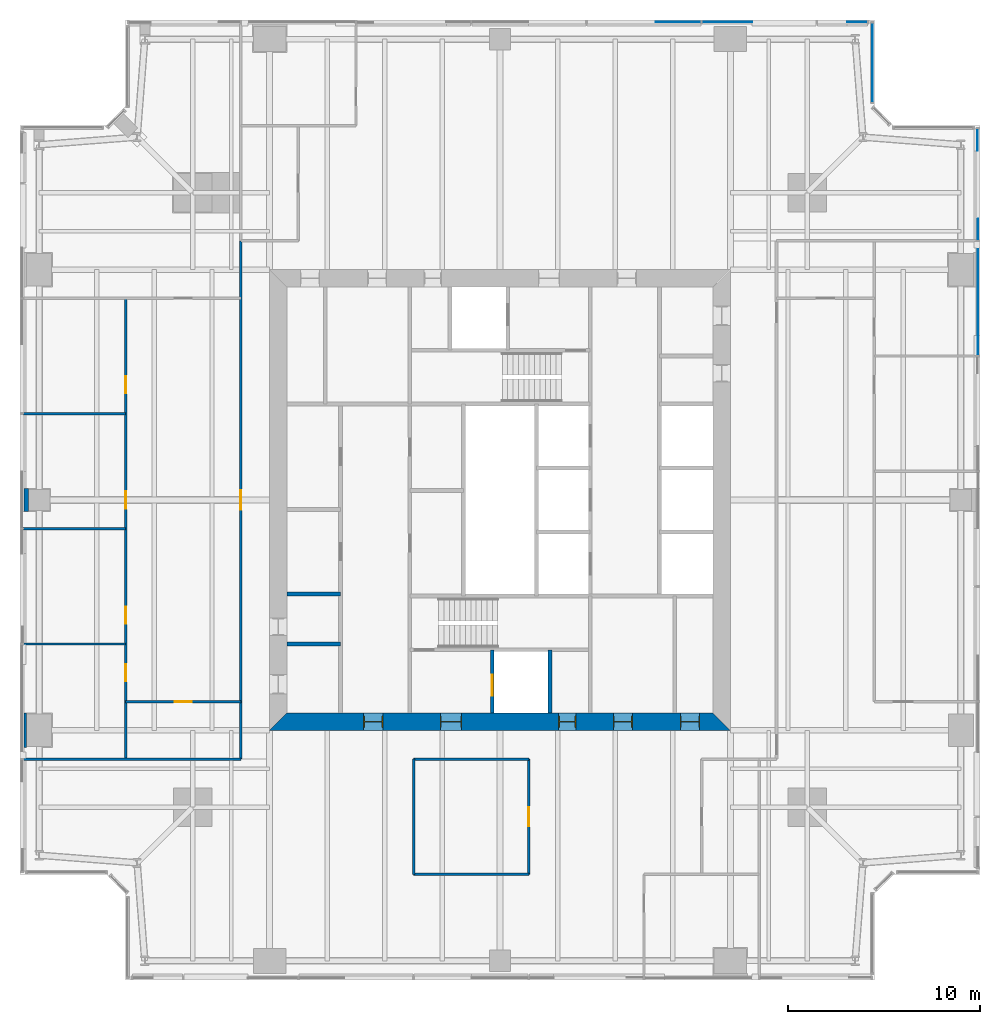
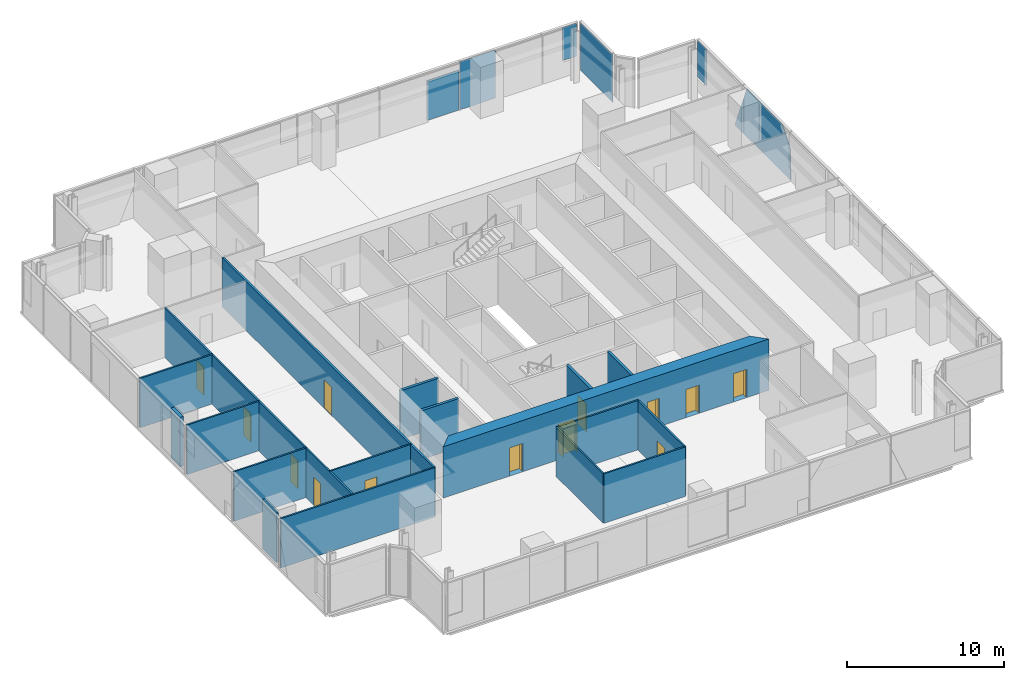
# One storey, part 9 of 14: 18 walls, 13 doors, 7 plates, 13 openings, 3 elements without a shape of their own.
"""IFC4 building model written with IfcOpenShell, lengths in metres."""

from ifc_helpers import new_model, si_unit, direction, frame, frame_2d, origin, origin_2d, place, context, subcontext, project, spatial, polyline, rectangle, outline, extrude, material, layer, layer_set, type_object, element, fill, aggregate, save


model = new_model("IFC4")

# Units and contexts
model_context = context("Model", 3, precision=1e-05, world=origin(), true_north=direction((0.0, 1.0)))
body_context = subcontext(model_context, "Body", "Model", "MODEL_VIEW")
ifc_project = project(units=[si_unit("LENGTHUNIT", "METRE"), si_unit("AREAUNIT", "SQUARE_METRE"), si_unit("VOLUMEUNIT", "CUBIC_METRE"), si_unit("PLANEANGLEUNIT", "RADIAN"), si_unit("MASSUNIT", "GRAM", prefix="KILO")], contexts=[model_context])

# Site, building, storey
site_placement = place(None, origin())
site = spatial("IfcSite", under=ifc_project, at=site_placement, CompositionType="ELEMENT")
building_placement = place(site_placement, origin())
building = spatial("IfcBuilding", under=site, at=building_placement, Name="Fenwick Lantern Interchange", CompositionType="ELEMENT")
storey_placement = place(building_placement, frame((0.0, 0.0, 221.800048828125)))
storey = spatial("IfcBuildingStorey", under=building, at=storey_placement, Name="L52", CompositionType="ELEMENT", Elevation=221.800048828125)

# Curtain wall, plates
ifc_material_1 = material(Name="Aluminium curtain wall frame", Category="aluminium")
curtain_wall_type = type_object("IfcCurtainWallType", Name="OFFICE CURTAIN WALL", PredefinedType="USERDEFINED", material=ifc_material_1)
curtain_wall_1_placement = place(storey_placement, origin())
curtain_wall_1 = element("IfcCurtainWall", 1, at=curtain_wall_1_placement, inside=storey, type_object=curtain_wall_type, Name="Office curtain wall 05", ObjectType="OFFICE CURTAIN WALL", PredefinedType="USERDEFINED")
ifc_material_2 = material(Name="Vision glass, clear low-iron double glazed", Category="glass")
ifc_layer_1 = layer(ifc_material_2, 0.031982421875)
ifc_layer_set_1 = layer_set([ifc_layer_1], Name="OFFICE CURTAIN WALL PANEL 32")
plate_type = type_object("IfcPlateType", Name="OFFICE CURTAIN WALL PANEL 32", PredefinedType="CURTAIN_PANEL", material=ifc_layer_set_1)
plate_1_placement = place(storey_placement, frame((49.89990234375, 5.60009765625, 0.0), z_axis=(0.0, 0.0, 1.0), x_axis=(0.0, 1.0, 0.0)))
plate_1 = element("IfcPlate", 2, at=plate_1_placement, type_object=plate_type, Name="L52/CW/05/P05a", PredefinedType="CURTAIN_PANEL", context=body_context, shape_type="SweptSolid", body=[
    extrude(outline(polyline([(26.9326171875, 0.0), (32.867431640625, 0.0), (32.867431640625, 2.939697265625), (32.535888671875, 3.75), (27.96826171875, 3.75), (26.9326171875, 2.37890625), (26.9326171875, 0.0)])), frame((0.0, 0.01611328125, 0.0), z_axis=(0.0, -1.0, 0.0), x_axis=(1.0, 0.0, 0.0)), (0.0, 0.0, 1.0), 0.031982421875),
])
plate_2_placement = place(storey_placement, frame((49.89990234375, 5.60009765625, 0.0), z_axis=(0.0, 0.0, 1.0), x_axis=(0.0, 1.0, 0.0)))
plate_2 = element("IfcPlate", 3, at=plate_2_placement, type_object=plate_type, Name="L52/CW/05/P06a", PredefinedType="CURTAIN_PANEL", context=body_context, shape_type="SweptSolid", body=[
    extrude(outline(polyline([(32.9326171875, 0.0), (34.0703125, 0.0), (32.9326171875, 2.78076171875), (32.9326171875, 0.0)])), frame((0.0, 0.01611328125, 0.0), z_axis=(0.0, -1.0, 0.0), x_axis=(1.0, 0.0, 0.0)), (0.0, 0.0, 1.0), 0.031982421875),
])
plate_3_placement = place(storey_placement, frame((49.89990234375, 5.60009765625, 0.92724609375), z_axis=(0.0, 0.0, 1.0), x_axis=(0.0, 1.0, 0.0)))
plate_3 = element("IfcPlate", 4, at=plate_3_placement, type_object=plate_type, Name="L52/CW/05/P06b", PredefinedType="CURTAIN_PANEL", context=body_context, shape_type="SweptSolid", body=[
    extrude(outline(polyline([(37.58056640625, 0.0), (38.735107421875, 0.0), (38.735107421875, 2.82275390625), (37.58056640625, 2.82275390625), (37.58056640625, 0.0)])), frame((0.0, 0.0498046875, 0.0), z_axis=(0.0, -1.0, 0.0), x_axis=(1.0, 0.0, 0.0)), (0.0, 0.0, 1.0), 0.031982421875),
])
aggregate(curtain_wall_1, [plate_1, plate_2, plate_3])

# Curtain wall, plate
curtain_wall_2_placement = place(storey_placement, origin())
curtain_wall_2 = element("IfcCurtainWall", 5, at=curtain_wall_2_placement, inside=storey, type_object=curtain_wall_type, Name="Office curtain wall 08", ObjectType="OFFICE CURTAIN WALL", PredefinedType="USERDEFINED")
plate_4_placement = place(storey_placement, frame((44.39990234375, 47.779296875, 0.0), z_axis=(0.0, 0.0, 1.0), x_axis=(0.0, 1.0, 0.0)))
plate_4 = element("IfcPlate", 6, at=plate_4_placement, type_object=plate_type, Name="L52/CW/08/P00", PredefinedType="CURTAIN_PANEL", context=body_context, shape_type="SweptSolid", body=[
    extrude(rectangle(XDim=4.111328125, YDim=0.031982421875, at=origin_2d()), origin(), (0.0, 0.0, 1.0), 3.75),
])
aggregate(curtain_wall_2, [plate_4])

# Curtain wall, plates
curtain_wall_3_placement = place(storey_placement, origin())
curtain_wall_3 = element("IfcCurtainWall", 7, at=curtain_wall_3_placement, inside=storey, type_object=curtain_wall_type, Name="Office curtain wall 09", ObjectType="OFFICE CURTAIN WALL", PredefinedType="USERDEFINED")
plate_5_placement = place(storey_placement, frame((44.39990234375, 49.89990234375, 1.17333984375), z_axis=(0.0, 0.0, 1.0), x_axis=(-1.0, 0.0, 0.0)))
plate_5 = element("IfcPlate", 8, at=plate_5_placement, type_object=plate_type, Name="L52/CW/09/P00a", PredefinedType="CURTAIN_PANEL", context=body_context, shape_type="SweptSolid", body=[
    extrude(outline(polyline([(0.264892578125, 0.0), (1.320068359375, 0.0), (1.320068359375, 2.57666015625), (0.264892578125, 2.57666015625), (0.264892578125, 0.0)])), frame((0.0, 0.01611328125, 0.0), z_axis=(0.0, -1.0, 0.0), x_axis=(1.0, 0.0, 0.0)), (0.0, 0.0, 1.0), 0.031982421875),
])
plate_6_placement = place(storey_placement, frame((44.39990234375, 49.89990234375, 0.0), z_axis=(0.0, 0.0, 1.0), x_axis=(-1.0, 0.0, 0.0)))
plate_6 = element("IfcPlate", 9, at=plate_6_placement, type_object=plate_type, Name="L52/CW/09/P01a", PredefinedType="CURTAIN_PANEL", context=body_context, shape_type="SweptSolid", body=[
    extrude(outline(polyline([(6.2646484375, 0.0), (8.867431640625, 0.0), (8.867431640625, 3.75), (6.2646484375, 3.75), (6.2646484375, 0.0)])), frame((0.0, 0.01611328125, 0.0), z_axis=(0.0, -1.0, 0.0), x_axis=(1.0, 0.0, 0.0)), (0.0, 0.0, 1.0), 0.031982421875),
])
plate_7_placement = place(storey_placement, frame((44.39990234375, 49.89990234375, 0.0), z_axis=(0.0, 0.0, 1.0), x_axis=(-1.0, 0.0, 0.0)))
plate_7 = element("IfcPlate", 10, at=plate_7_placement, type_object=plate_type, Name="L52/CW/09/P02a", PredefinedType="CURTAIN_PANEL", context=body_context, shape_type="SweptSolid", body=[
    extrude(outline(polyline([(8.9326171875, 0.0), (11.297607421875, 0.0), (11.297607421875, 3.13330078125), (8.9326171875, 3.13330078125), (8.9326171875, 0.0)])), frame((0.0, 0.01611328125, 0.0), z_axis=(0.0, -1.0, 0.0), x_axis=(1.0, 0.0, 0.0)), (0.0, 0.0, 1.0), 0.031982421875),
])
aggregate(curtain_wall_3, [plate_5, plate_6, plate_7])

# Walls
ifc_material_3 = material(Name="Fire-rated gypsum board encasement on steel studs, 2 hour", Category="steel")
ifc_layer_2 = layer(ifc_material_3, 1.199951171875)
ifc_layer_set_2 = layer_set([ifc_layer_2], Name="COLUMN PIER 1200")
wall_type_1 = type_object("IfcWallType", Name="COLUMN PIER 1200", PredefinedType="PARTITIONING", material=ifc_layer_set_2)
wall_1_placement = place(storey_placement, frame((0.199951171875, 25.0, 0.0), z_axis=(0.0, 0.0, 1.0), x_axis=(1.0, 0.0, 0.0)))
element("IfcWall", 11, at=wall_1_placement, inside=storey, type_object=wall_type_1, Name="L52/W/PIER/CW3", PredefinedType="PARTITIONING", context=body_context, shape_type="SweptSolid", body=[
    extrude(rectangle(XDim=0.25, YDim=1.199951171875, at=frame_2d((0.125, 0.0))), origin(), (0.0, 0.0, 1.0), 3.849853515625),
])
ifc_layer_3 = layer(ifc_material_3, 1.800048828125)
ifc_layer_set_3 = layer_set([ifc_layer_3], Name="COLUMN PIER 1800")
wall_type_2 = type_object("IfcWallType", Name="COLUMN PIER 1800", PredefinedType="PARTITIONING", material=ifc_layer_set_3)
wall_2_placement = place(storey_placement, frame((0.199951171875, 13.0, 0.0), z_axis=(0.0, 0.0, 1.0), x_axis=(1.0, 0.0, 0.0)))
element("IfcWall", 12, at=wall_2_placement, inside=storey, type_object=wall_type_2, Name="L52/W/PIER/CW4", PredefinedType="PARTITIONING", context=body_context, shape_type="SweptSolid", body=[
    extrude(rectangle(XDim=0.150146484375, YDim=1.800048828125, at=frame_2d((0.0751953125, 0.0))), origin(), (0.0, 0.0, 1.0), 3.849853515625),
])

# Wall, opening, door
ifc_material_4 = material(Name="Concrete masonry ASTM C90 Grade N", Category="masonry")
ifc_layer_4 = layer(ifc_material_4, 0.199951171875)
ifc_layer_set_4 = layer_set([ifc_layer_4], Name="Concrete masonry ASTM C90 Grade N")
wall_type_3 = type_object("IfcWallType", Name="CORE PARTITION 200", PredefinedType="PARTITIONING", material=ifc_layer_set_4)
wall_3_placement = place(storey_placement, frame((24.60009765625, 13.89990234375, 0.0), z_axis=(0.0, 0.0, 1.0), x_axis=(0.0, 1.0, 0.0)))
wall_3 = element("IfcWall", 13, at=wall_3_placement, inside=storey, type_object=wall_type_3, Name="L52/W/CORES/h1", PredefinedType="PARTITIONING", context=body_context, shape_type="SweptSolid", body=[
    extrude(rectangle(XDim=3.300048828125, YDim=0.199951171875, at=frame_2d((1.64990234375, 0.0))), origin(), (0.0, 0.0, 1.0), 3.800048828125),
])
opening_1_placement = place(wall_3_placement, frame((0.89990234375, 0.0, 0.0)))
opening_1 = element("IfcOpeningElement", 14, at=opening_1_placement, cuts=wall_3, Name="Opening LD-FL1", PredefinedType="OPENING", context=body_context, shape_type="SweptSolid", body=[
    extrude(rectangle(XDim=1.10009765625, YDim=2.199951171875, at=frame_2d((0.550048828125, 1.10009765625))), frame((0.0, 0.10986328125, 0.0), z_axis=(0.0, -1.0, 0.0), x_axis=(1.0, 0.0, 0.0)), (0.0, 0.0, 1.0), 0.219970703125),
])
ifc_material_5 = material(Name="Steel door and frame", Category="steel")
door_type_1 = type_object("IfcDoorType", Name="LIFT LANDING DOOR 1100 X 2200", OperationType="DOUBLE_DOOR_SLIDING", PredefinedType="DOOR", material=ifc_material_5)
door_1_placement = place(opening_1_placement, origin())
door_1 = element("IfcDoor", 15, at=door_1_placement, inside=storey, type_object=door_type_1, Name="Lift landing door FL1", OperationType="DOUBLE_DOOR_SLIDING", OverallHeight=2.199951171875, OverallWidth=1.10009765625, PredefinedType="DOOR", context=body_context, shape_type="SweptSolid", body=[
    extrude(rectangle(XDim=1.10009765625, YDim=2.199951171875, at=frame_2d((0.550048828125, 1.10009765625))), frame((0.0, 0.02490234375, 0.0), z_axis=(0.0, -1.0, 0.0), x_axis=(1.0, 0.0, 0.0)), (0.0, 0.0, 1.0), 0.050048828125),
])
fill(opening_1, door_1)

# Walls
wall_4_placement = place(storey_placement, frame((27.60009765625, 13.89990234375, 0.0), z_axis=(0.0, 0.0, 1.0), x_axis=(0.0, 1.0, 0.0)))
element("IfcWall", 16, at=wall_4_placement, inside=storey, type_object=wall_type_3, Name="L52/W/CORES/h2", PredefinedType="PARTITIONING", context=body_context, shape_type="SweptSolid", body=[
    extrude(rectangle(XDim=3.300048828125, YDim=0.199951171875, at=frame_2d((1.64990234375, 0.0))), origin(), (0.0, 0.0, 1.0), 3.800048828125),
])
for number, where, z_axis, x_axis, name in (
    (17, (13.89990234375, 17.5, 0.0), (0.0, 0.0, 1.0), (1.0, 0.0, 0.0), "L52/W/CORES/p1"),
    (18, (13.89990234375, 20.10009765625, 0.0), (0.0, 0.0, 1.0), (1.0, 0.0, 0.0), "L52/W/CORES/p2"),
):
    element("IfcWall", number, at=place(storey_placement, frame(where, z_axis=z_axis, x_axis=x_axis)), inside=storey, type_object=wall_type_3, Name=name, PredefinedType="PARTITIONING", context=body_context, shape_type="SweptSolid", body=[
        extrude(rectangle(XDim=2.800048828125, YDim=0.199951171875, at=frame_2d((1.39990234375, 0.0))), origin(), (0.0, 0.0, 1.0), 3.800048828125),
    ])

# Wall, openings, doors
ifc_material_6 = material(Name="Concrete f'c 70 MPa", Category="concrete")
ifc_layer_5 = layer(ifc_material_6, 0.89990234375)
ifc_layer_set_5 = layer_set([ifc_layer_5], Name="CORE WALL 900")
wall_type_4 = type_object("IfcWallType", Name="CORE WALL 900", PredefinedType="SHEAR", material=ifc_layer_set_5)
wall_5_placement = place(storey_placement, frame((13.0, 13.449951171875, 0.0), z_axis=(0.0, 0.0, 1.0), x_axis=(1.0, 0.0, 0.0)))
wall_5 = element("IfcWall", 19, at=wall_5_placement, inside=storey, type_object=wall_type_4, Name="L52/CORE/S", PredefinedType="SHEAR", context=body_context, shape_type="SweptSolid", body=[
    extrude(outline(polyline([(0.0, -0.449951171875), (24.0, -0.449951171875), (23.10009765625, 0.449951171875), (0.89990234375, 0.449951171875), (0.0, -0.449951171875)])), origin(), (0.0, 0.0, 1.0), 4.0),
])
opening_2_placement = place(wall_5_placement, frame((4.89990234375, 0.0, 0.0)))
opening_2 = element("IfcOpeningElement", 20, at=opening_2_placement, cuts=wall_5, Name="Opening L52-D001", PredefinedType="OPENING", context=body_context, shape_type="SweptSolid", body=[
    extrude(rectangle(XDim=1.0, YDim=2.199951171875, at=frame_2d((0.5, 1.10009765625))), frame((0.0, 0.4599609375, 0.0), z_axis=(0.0, -1.0, 0.0), x_axis=(1.0, 0.0, 0.0)), (0.0, 0.0, 1.0), 0.919921875),
])
opening_3_placement = place(wall_5_placement, frame((8.89990234375, 0.0, 0.0)))
opening_3 = element("IfcOpeningElement", 21, at=opening_3_placement, cuts=wall_5, Name="Opening L52-D002", PredefinedType="OPENING", context=body_context, shape_type="SweptSolid", body=[
    extrude(rectangle(XDim=1.10009765625, YDim=2.199951171875, at=frame_2d((0.550048828125, 1.10009765625))), frame((0.0, 0.4599609375, 0.0), z_axis=(0.0, -1.0, 0.0), x_axis=(1.0, 0.0, 0.0)), (0.0, 0.0, 1.0), 0.919921875),
])
opening_4_placement = place(wall_5_placement, frame((15.050048828125, 0.0, 0.0)))
opening_4 = element("IfcOpeningElement", 22, at=opening_4_placement, cuts=wall_5, Name="Opening L52-D004", PredefinedType="OPENING", context=body_context, shape_type="SweptSolid", body=[
    extrude(rectangle(XDim=0.89990234375, YDim=2.199951171875, at=frame_2d((0.449951171875, 1.10009765625))), frame((0.0, 0.4599609375, 0.0), z_axis=(0.0, -1.0, 0.0), x_axis=(1.0, 0.0, 0.0)), (0.0, 0.0, 1.0), 0.919921875),
])
opening_5_placement = place(wall_5_placement, frame((17.89990234375, 0.0, 0.0)))
opening_5 = element("IfcOpeningElement", 23, at=opening_5_placement, cuts=wall_5, Name="Opening L52-D005", PredefinedType="OPENING", context=body_context, shape_type="SweptSolid", body=[
    extrude(rectangle(XDim=1.0, YDim=2.199951171875, at=frame_2d((0.5, 1.10009765625))), frame((0.0, 0.4599609375, 0.0), z_axis=(0.0, -1.0, 0.0), x_axis=(1.0, 0.0, 0.0)), (0.0, 0.0, 1.0), 0.919921875),
])
opening_6_placement = place(wall_5_placement, frame((21.39990234375, 0.0, 0.0)))
opening_6 = element("IfcOpeningElement", 24, at=opening_6_placement, cuts=wall_5, Name="Opening L52-D006", PredefinedType="OPENING", context=body_context, shape_type="SweptSolid", body=[
    extrude(rectangle(XDim=1.0, YDim=2.199951171875, at=frame_2d((0.5, 1.10009765625))), frame((0.0, 0.4599609375, 0.0), z_axis=(0.0, -1.0, 0.0), x_axis=(1.0, 0.0, 0.0)), (0.0, 0.0, 1.0), 0.919921875),
])
door_type_2 = type_object("IfcDoorType", Name="CORE LOBBY DOOR 1000 X 2200", OperationType="SINGLE_SWING_LEFT", PredefinedType="DOOR", material=ifc_material_5)
door_2_placement = place(opening_2_placement, origin())
door_2 = element("IfcDoor", 25, at=door_2_placement, inside=storey, type_object=door_type_2, Name="Core lobby door", OperationType="SINGLE_SWING_LEFT", OverallHeight=2.199951171875, OverallWidth=1.0, PredefinedType="DOOR", context=body_context, shape_type="SweptSolid", body=[
    extrude(rectangle(XDim=1.0, YDim=2.199951171875, at=frame_2d((0.5, 1.10009765625))), frame((0.0, 0.02490234375, 0.0), z_axis=(0.0, -1.0, 0.0), x_axis=(1.0, 0.0, 0.0)), (0.0, 0.0, 1.0), 0.050048828125),
    extrude(outline(polyline([(0.0, 0.0), (0.0400390625, 0.0), (0.0400390625, 2.159912109375), (0.9599609375, 2.159912109375), (0.9599609375, 0.0), (1.0, 0.0), (1.0, 2.199951171875), (0.0, 2.199951171875), (0.0, 0.0)])), frame((0.0, 0.300048828125, 0.0), z_axis=(0.0, -1.0, 0.0), x_axis=(1.0, 0.0, 0.0)), (0.0, 0.0, 1.0), 0.60009765625),
])
fill(opening_2, door_2)
door_type_3 = type_object("IfcDoorType", Name="FIRE LOBBY DOOR 1100 X 2200", OperationType="SINGLE_SWING_LEFT", PredefinedType="DOOR", material=ifc_material_5)
door_3_placement = place(opening_3_placement, origin())
door_3 = element("IfcDoor", 26, at=door_3_placement, inside=storey, type_object=door_type_3, Name="Fire lobby door", OperationType="SINGLE_SWING_LEFT", OverallHeight=2.199951171875, OverallWidth=1.10009765625, PredefinedType="DOOR", context=body_context, shape_type="SweptSolid", body=[
    extrude(rectangle(XDim=1.10009765625, YDim=2.199951171875, at=frame_2d((0.550048828125, 1.10009765625))), frame((0.0, 0.02490234375, 0.0), z_axis=(0.0, -1.0, 0.0), x_axis=(1.0, 0.0, 0.0)), (0.0, 0.0, 1.0), 0.050048828125),
    extrude(outline(polyline([(0.0, 0.0), (0.0400390625, 0.0), (0.0400390625, 2.159912109375), (1.06005859375, 2.159912109375), (1.06005859375, 0.0), (1.10009765625, 0.0), (1.10009765625, 2.199951171875), (0.0, 2.199951171875), (0.0, 0.0)])), frame((0.0, 0.300048828125, 0.0), z_axis=(0.0, -1.0, 0.0), x_axis=(1.0, 0.0, 0.0)), (0.0, 0.0, 1.0), 0.60009765625),
])
fill(opening_3, door_3)
door_type_4 = type_object("IfcDoorType", Name="SERVICE DOOR 900 X 2200", OperationType="SINGLE_SWING_LEFT", PredefinedType="DOOR", material=ifc_material_5)
door_4_placement = place(opening_4_placement, origin())
door_4 = element("IfcDoor", 27, at=door_4_placement, inside=storey, type_object=door_type_4, Name="Service door", OperationType="SINGLE_SWING_LEFT", OverallHeight=2.199951171875, OverallWidth=0.89990234375, PredefinedType="DOOR", context=body_context, shape_type="SweptSolid", body=[
    extrude(rectangle(XDim=0.89990234375, YDim=2.199951171875, at=frame_2d((0.449951171875, 1.10009765625))), frame((0.0, 0.02490234375, 0.0), z_axis=(0.0, -1.0, 0.0), x_axis=(1.0, 0.0, 0.0)), (0.0, 0.0, 1.0), 0.050048828125),
    extrude(outline(polyline([(0.0, 0.0), (0.0400390625, 0.0), (0.0400390625, 2.159912109375), (0.85986328125, 2.159912109375), (0.85986328125, 0.0), (0.89990234375, 0.0), (0.89990234375, 2.199951171875), (0.0, 2.199951171875), (0.0, 0.0)])), frame((0.0, 0.300048828125, 0.0), z_axis=(0.0, -1.0, 0.0), x_axis=(1.0, 0.0, 0.0)), (0.0, 0.0, 1.0), 0.60009765625),
])
fill(opening_4, door_4)
ifc_material_7 = material(Name="Hardwood door and steel frame", Category="steel")
door_type_5 = type_object("IfcDoorType", Name="WC DOOR 1000 X 2200", OperationType="SINGLE_SWING_LEFT", PredefinedType="DOOR", material=ifc_material_7)
door_5_placement = place(opening_5_placement, origin())
door_5 = element("IfcDoor", 28, at=door_5_placement, inside=storey, type_object=door_type_5, Name="Wc door", OperationType="SINGLE_SWING_LEFT", OverallHeight=2.199951171875, OverallWidth=1.0, PredefinedType="DOOR", context=body_context, shape_type="SweptSolid", body=[
    extrude(rectangle(XDim=1.0, YDim=2.199951171875, at=frame_2d((0.5, 1.10009765625))), frame((0.0, 0.02490234375, 0.0), z_axis=(0.0, -1.0, 0.0), x_axis=(1.0, 0.0, 0.0)), (0.0, 0.0, 1.0), 0.050048828125),
    extrude(outline(polyline([(0.0, 0.0), (0.0400390625, 0.0), (0.0400390625, 2.159912109375), (0.9599609375, 2.159912109375), (0.9599609375, 0.0), (1.0, 0.0), (1.0, 2.199951171875), (0.0, 2.199951171875), (0.0, 0.0)])), frame((0.0, 0.300048828125, 0.0), z_axis=(0.0, -1.0, 0.0), x_axis=(1.0, 0.0, 0.0)), (0.0, 0.0, 1.0), 0.60009765625),
])
fill(opening_5, door_5)
door_6_placement = place(opening_6_placement, origin())
door_6 = element("IfcDoor", 29, at=door_6_placement, inside=storey, type_object=door_type_5, Name="Wc door", OperationType="SINGLE_SWING_LEFT", OverallHeight=2.199951171875, OverallWidth=1.0, PredefinedType="DOOR", context=body_context, shape_type="SweptSolid", body=[
    extrude(rectangle(XDim=1.0, YDim=2.199951171875, at=frame_2d((0.5, 1.10009765625))), frame((0.0, 0.02490234375, 0.0), z_axis=(0.0, -1.0, 0.0), x_axis=(1.0, 0.0, 0.0)), (0.0, 0.0, 1.0), 0.050048828125),
    extrude(outline(polyline([(0.0, 0.0), (0.0400390625, 0.0), (0.0400390625, 2.159912109375), (0.9599609375, 2.159912109375), (0.9599609375, 0.0), (1.0, 0.0), (1.0, 2.199951171875), (0.0, 2.199951171875), (0.0, 0.0)])), frame((0.0, 0.300048828125, 0.0), z_axis=(0.0, -1.0, 0.0), x_axis=(1.0, 0.0, 0.0)), (0.0, 0.0, 1.0), 0.60009765625),
])
fill(opening_6, door_6)

# Wall, opening, door
ifc_material_8 = material(Name="Gypsum board on steel studs, 1 hour", Category="steel")
ifc_layer_6 = layer(ifc_material_8, 0.14990234375)
ifc_layer_set_6 = layer_set([ifc_layer_6], Name="CORRIDOR WALL 150")
wall_type_5 = type_object("IfcWallType", Name="CORRIDOR WALL 150", PredefinedType="PARTITIONING", material=ifc_layer_set_6)
wall_6_placement = place(storey_placement, frame((11.5, 38.5, 0.0), z_axis=(0.0, 0.0, 1.0), x_axis=(0.0, -1.0, 0.0)))
wall_6 = element("IfcWall", 30, at=wall_6_placement, inside=storey, type_object=wall_type_5, Name="L52/W/OFF/W/CW", PredefinedType="PARTITIONING", context=body_context, shape_type="SweptSolid", body=[
    extrude(rectangle(XDim=27.0, YDim=0.14990234375, at=frame_2d((13.5, 0.0))), origin(), (0.0, 0.0, 1.0), 3.849853515625),
])
opening_7_placement = place(wall_6_placement, frame((13.0, 0.0, 0.0)))
opening_7 = element("IfcOpeningElement", 31, at=opening_7_placement, cuts=wall_6, Name="Opening L52-D032", PredefinedType="OPENING", context=body_context, shape_type="SweptSolid", body=[
    extrude(rectangle(XDim=1.0, YDim=2.199951171875, at=frame_2d((0.5, 1.10009765625))), frame((0.0, 0.0849609375, 0.0), z_axis=(0.0, -1.0, 0.0), x_axis=(1.0, 0.0, 0.0)), (0.0, 0.0, 1.0), 0.169921875),
])
door_type_6 = type_object("IfcDoorType", Name="SUITE ENTRANCE DOOR 1000 X 2200", OperationType="SINGLE_SWING_LEFT", PredefinedType="DOOR", material=ifc_material_5)
door_7_placement = place(opening_7_placement, frame((1.0, 0.0, 0.0), z_axis=(0.0, 0.0, 1.0), x_axis=(-1.0, 0.0, 0.0)))
door_7 = element("IfcDoor", 32, at=door_7_placement, inside=storey, type_object=door_type_6, Name="Suite entrance door", OperationType="SINGLE_SWING_RIGHT", OverallHeight=2.199951171875, OverallWidth=1.0, PredefinedType="DOOR", context=body_context, shape_type="SweptSolid", body=[
    extrude(rectangle(XDim=1.0, YDim=2.199951171875, at=frame_2d((0.5, 1.10009765625))), frame((0.0, 0.02490234375, 0.0), z_axis=(0.0, -1.0, 0.0), x_axis=(1.0, 0.0, 0.0)), (0.0, 0.0, 1.0), 0.050048828125),
])
fill(opening_7, door_7)

# Walls
ifc_material_9 = material(Name="Gypsum board on steel studs, acoustic", Category="steel")
ifc_layer_7 = layer(ifc_material_9, 0.125)
ifc_layer_set_7 = layer_set([ifc_layer_7], Name="OFFICE PARTITION 125")
wall_type_6 = type_object("IfcWallType", Name="OFFICE PARTITION 125", PredefinedType="PARTITIONING", material=ifc_layer_set_7)
wall_7_placement = place(storey_placement, frame((0.14990234375, 11.5, 0.0), z_axis=(0.0, 0.0, 1.0), x_axis=(1.0, 0.0, 0.0)))
element("IfcWall", 33, at=wall_7_placement, inside=storey, type_object=wall_type_6, Name="L52/W/OFF/S/BACK", PredefinedType="PARTITIONING", context=body_context, shape_type="SweptSolid", body=[
    extrude(rectangle(XDim=11.35009765625, YDim=0.125, at=frame_2d((5.675048828125, 0.0))), origin(), (0.0, 0.0, 1.0), 3.849853515625),
])
wall_8_placement = place(storey_placement, frame((20.5, 5.5, 0.0), z_axis=(0.0, 0.0, 1.0), x_axis=(0.0, 1.0, 0.0)))
element("IfcWall", 34, at=wall_8_placement, inside=storey, type_object=wall_type_6, Name="L52/W/OFF/S/X205-1", PredefinedType="PARTITIONING", context=body_context, shape_type="SweptSolid", body=[
    extrude(rectangle(XDim=6.0, YDim=0.125, at=frame_2d((3.0, 0.0))), origin(), (0.0, 0.0, 1.0), 3.849853515625),
])

# Wall, opening, door
wall_9_placement = place(storey_placement, frame((26.5, 5.5, 0.0), z_axis=(0.0, 0.0, 1.0), x_axis=(0.0, 1.0, 0.0)))
wall_9 = element("IfcWall", 35, at=wall_9_placement, inside=storey, type_object=wall_type_6, Name="L52/W/OFF/S/X265-1", PredefinedType="PARTITIONING", context=body_context, shape_type="SweptSolid", body=[
    extrude(rectangle(XDim=6.0, YDim=0.125, at=frame_2d((3.0, 0.0))), origin(), (0.0, 0.0, 1.0), 3.849853515625),
])
opening_8_placement = place(wall_9_placement, frame((2.5, 0.0, 0.0)))
opening_8 = element("IfcOpeningElement", 36, at=opening_8_placement, cuts=wall_9, Name="Opening L52-D021", PredefinedType="OPENING", context=body_context, shape_type="SweptSolid", body=[
    extrude(rectangle(XDim=1.0, YDim=2.199951171875, at=frame_2d((0.5, 1.10009765625))), frame((0.0, 0.072509765625, 0.0), z_axis=(0.0, -1.0, 0.0), x_axis=(1.0, 0.0, 0.0)), (0.0, 0.0, 1.0), 0.14501953125),
])
door_type_7 = type_object("IfcDoorType", Name="MEETING ROOM DOOR 1000 X 2200", OperationType="SINGLE_SWING_LEFT", PredefinedType="DOOR", material=ifc_material_7)
door_8_placement = place(opening_8_placement, origin())
door_8 = element("IfcDoor", 37, at=door_8_placement, inside=storey, type_object=door_type_7, Name="Meeting room door", OperationType="SINGLE_SWING_LEFT", OverallHeight=2.199951171875, OverallWidth=1.0, PredefinedType="DOOR", context=body_context, shape_type="SweptSolid", body=[
    extrude(rectangle(XDim=1.0, YDim=2.199951171875, at=frame_2d((0.5, 1.10009765625))), frame((0.0, 0.02490234375, 0.0), z_axis=(0.0, -1.0, 0.0), x_axis=(1.0, 0.0, 0.0)), (0.0, 0.0, 1.0), 0.050048828125),
])
fill(opening_8, door_8)

# Walls
for number, where, z_axis, x_axis, name in (
    (38, (20.5, 5.5, 0.0), (0.0, 0.0, 1.0), (1.0, 0.0, 0.0), "L52/W/OFF/S/Y55-1"),
    (39, (20.5, 11.5, 0.0), (0.0, 0.0, 1.0), (1.0, 0.0, 0.0), "L52/W/OFF/S/CWS1"),
):
    element("IfcWall", number, at=place(storey_placement, frame(where, z_axis=z_axis, x_axis=x_axis)), inside=storey, type_object=wall_type_6, Name=name, PredefinedType="PARTITIONING", context=body_context, shape_type="SweptSolid", body=[
        extrude(rectangle(XDim=6.0, YDim=0.125, at=frame_2d((3.0, 0.0))), origin(), (0.0, 0.0, 1.0), 3.849853515625),
    ])
for number, where, z_axis, x_axis, name in (
    (40, (0.14990234375, 29.5, 0.0), (0.0, 0.0, 1.0), (1.0, 0.0, 0.0), "L52/W/OFF/W/X205-1"),
    (41, (0.14990234375, 23.5, 0.0), (0.0, 0.0, 1.0), (1.0, 0.0, 0.0), "L52/W/OFF/W/X265-1"),
    (42, (0.14990234375, 17.5, 0.0), (0.0, 0.0, 1.0), (1.0, 0.0, 0.0), "L52/W/OFF/W/X325-1"),
):
    element("IfcWall", number, at=place(storey_placement, frame(where, z_axis=z_axis, x_axis=x_axis)), inside=storey, type_object=wall_type_6, Name=name, PredefinedType="PARTITIONING", context=body_context, shape_type="SweptSolid", body=[
        extrude(rectangle(XDim=5.35009765625, YDim=0.125, at=frame_2d((2.675048828125, 0.0))), origin(), (0.0, 0.0, 1.0), 3.849853515625),
    ])

# Wall, opening, door
wall_10_placement = place(storey_placement, frame((5.5, 14.5, 0.0), z_axis=(0.0, 0.0, 1.0), x_axis=(1.0, 0.0, 0.0)))
wall_10 = element("IfcWall", 43, at=wall_10_placement, inside=storey, type_object=wall_type_6, Name="L52/W/OFF/W/X355-1", PredefinedType="PARTITIONING", context=body_context, shape_type="SweptSolid", body=[
    extrude(rectangle(XDim=6.0, YDim=0.125, at=frame_2d((3.0, 0.0))), origin(), (0.0, 0.0, 1.0), 3.849853515625),
])
opening_9_placement = place(wall_10_placement, frame((2.550048828125, 0.0, 0.0)))
opening_9 = element("IfcOpeningElement", 44, at=opening_9_placement, cuts=wall_10, Name="Opening L52-D038", PredefinedType="OPENING", context=body_context, shape_type="SweptSolid", body=[
    extrude(rectangle(XDim=0.89990234375, YDim=2.199951171875, at=frame_2d((0.449951171875, 1.10009765625))), frame((0.0, 0.072509765625, 0.0), z_axis=(0.0, -1.0, 0.0), x_axis=(1.0, 0.0, 0.0)), (0.0, 0.0, 1.0), 0.14501953125),
])
door_type_8 = type_object("IfcDoorType", Name="OFFICE DOOR 900 X 2200", OperationType="SINGLE_SWING_LEFT", PredefinedType="DOOR", material=ifc_material_7)
door_9_placement = place(opening_9_placement, frame((0.89990234375, 0.0, 0.0), z_axis=(0.0, 0.0, 1.0), x_axis=(-1.0, 0.0, 0.0)))
door_9 = element("IfcDoor", 45, at=door_9_placement, inside=storey, type_object=door_type_8, Name="Office door", OperationType="SINGLE_SWING_RIGHT", OverallHeight=2.199951171875, OverallWidth=0.89990234375, PredefinedType="DOOR", context=body_context, shape_type="SweptSolid", body=[
    extrude(rectangle(XDim=0.89990234375, YDim=2.199951171875, at=frame_2d((0.449951171875, 1.10009765625))), frame((0.0, 0.02490234375, 0.0), z_axis=(0.0, -1.0, 0.0), x_axis=(1.0, 0.0, 0.0)), (0.0, 0.0, 1.0), 0.050048828125),
])
fill(opening_9, door_9)

# Wall, openings, doors
wall_11_placement = place(storey_placement, frame((5.5, 35.5, 0.0), z_axis=(0.0, 0.0, 1.0), x_axis=(0.0, -1.0, 0.0)))
wall_11 = element("IfcWall", 46, at=wall_11_placement, inside=storey, type_object=wall_type_6, Name="L52/W/OFF/W/Y55-1", PredefinedType="PARTITIONING", context=body_context, shape_type="SweptSolid", body=[
    extrude(rectangle(XDim=24.0, YDim=0.125, at=frame_2d((12.0, 0.0))), origin(), (0.0, 0.0, 1.0), 3.849853515625),
])
opening_10_placement = place(wall_11_placement, frame((4.050048828125, 0.0, 0.0)))
opening_10 = element("IfcOpeningElement", 47, at=opening_10_placement, cuts=wall_11, Name="Opening L52-D034", PredefinedType="OPENING", context=body_context, shape_type="SweptSolid", body=[
    extrude(rectangle(XDim=0.89990234375, YDim=2.199951171875, at=frame_2d((0.449951171875, 1.10009765625))), frame((0.0, 0.072509765625, 0.0), z_axis=(0.0, -1.0, 0.0), x_axis=(1.0, 0.0, 0.0)), (0.0, 0.0, 1.0), 0.14501953125),
])
opening_11_placement = place(wall_11_placement, frame((10.050048828125, 0.0, 0.0)))
opening_11 = element("IfcOpeningElement", 48, at=opening_11_placement, cuts=wall_11, Name="Opening L52-D035", PredefinedType="OPENING", context=body_context, shape_type="SweptSolid", body=[
    extrude(rectangle(XDim=0.89990234375, YDim=2.199951171875, at=frame_2d((0.449951171875, 1.10009765625))), frame((0.0, 0.072509765625, 0.0), z_axis=(0.0, -1.0, 0.0), x_axis=(1.0, 0.0, 0.0)), (0.0, 0.0, 1.0), 0.14501953125),
])
opening_12_placement = place(wall_11_placement, frame((16.050048828125, 0.0, 0.0)))
opening_12 = element("IfcOpeningElement", 49, at=opening_12_placement, cuts=wall_11, Name="Opening L52-D036", PredefinedType="OPENING", context=body_context, shape_type="SweptSolid", body=[
    extrude(rectangle(XDim=0.89990234375, YDim=2.199951171875, at=frame_2d((0.449951171875, 1.10009765625))), frame((0.0, 0.072509765625, 0.0), z_axis=(0.0, -1.0, 0.0), x_axis=(1.0, 0.0, 0.0)), (0.0, 0.0, 1.0), 0.14501953125),
])
opening_13_placement = place(wall_11_placement, frame((19.050048828125, 0.0, 0.0)))
opening_13 = element("IfcOpeningElement", 50, at=opening_13_placement, cuts=wall_11, Name="Opening L52-D037", PredefinedType="OPENING", context=body_context, shape_type="SweptSolid", body=[
    extrude(rectangle(XDim=0.89990234375, YDim=2.199951171875, at=frame_2d((0.449951171875, 1.10009765625))), frame((0.0, 0.072509765625, 0.0), z_axis=(0.0, -1.0, 0.0), x_axis=(1.0, 0.0, 0.0)), (0.0, 0.0, 1.0), 0.14501953125),
])
door_10_placement = place(opening_10_placement, frame((0.89990234375, 0.0, 0.0), z_axis=(0.0, 0.0, 1.0), x_axis=(-1.0, 0.0, 0.0)))
door_10 = element("IfcDoor", 51, at=door_10_placement, inside=storey, type_object=door_type_8, Name="Office door", OperationType="SINGLE_SWING_LEFT", OverallHeight=2.199951171875, OverallWidth=0.89990234375, PredefinedType="DOOR", context=body_context, shape_type="SweptSolid", body=[
    extrude(rectangle(XDim=0.89990234375, YDim=2.199951171875, at=frame_2d((0.449951171875, 1.10009765625))), frame((0.0, 0.02490234375, 0.0), z_axis=(0.0, -1.0, 0.0), x_axis=(1.0, 0.0, 0.0)), (0.0, 0.0, 1.0), 0.050048828125),
])
fill(opening_10, door_10)
door_11_placement = place(opening_11_placement, frame((0.89990234375, 0.0, 0.0), z_axis=(0.0, 0.0, 1.0), x_axis=(-1.0, 0.0, 0.0)))
door_11 = element("IfcDoor", 52, at=door_11_placement, inside=storey, type_object=door_type_8, Name="Office door", OperationType="SINGLE_SWING_LEFT", OverallHeight=2.199951171875, OverallWidth=0.89990234375, PredefinedType="DOOR", context=body_context, shape_type="SweptSolid", body=[
    extrude(rectangle(XDim=0.89990234375, YDim=2.199951171875, at=frame_2d((0.449951171875, 1.10009765625))), frame((0.0, 0.02490234375, 0.0), z_axis=(0.0, -1.0, 0.0), x_axis=(1.0, 0.0, 0.0)), (0.0, 0.0, 1.0), 0.050048828125),
])
fill(opening_11, door_11)
door_12_placement = place(opening_12_placement, frame((0.89990234375, 0.0, 0.0), z_axis=(0.0, 0.0, 1.0), x_axis=(-1.0, 0.0, 0.0)))
door_12 = element("IfcDoor", 53, at=door_12_placement, inside=storey, type_object=door_type_8, Name="Office door", OperationType="SINGLE_SWING_LEFT", OverallHeight=2.199951171875, OverallWidth=0.89990234375, PredefinedType="DOOR", context=body_context, shape_type="SweptSolid", body=[
    extrude(rectangle(XDim=0.89990234375, YDim=2.199951171875, at=frame_2d((0.449951171875, 1.10009765625))), frame((0.0, 0.02490234375, 0.0), z_axis=(0.0, -1.0, 0.0), x_axis=(1.0, 0.0, 0.0)), (0.0, 0.0, 1.0), 0.050048828125),
])
fill(opening_12, door_12)
door_13_placement = place(opening_13_placement, frame((0.89990234375, 0.0, 0.0), z_axis=(0.0, 0.0, 1.0), x_axis=(-1.0, 0.0, 0.0)))
door_13 = element("IfcDoor", 54, at=door_13_placement, inside=storey, type_object=door_type_8, Name="Office door", OperationType="SINGLE_SWING_RIGHT", OverallHeight=2.199951171875, OverallWidth=0.89990234375, PredefinedType="DOOR", context=body_context, shape_type="SweptSolid", body=[
    extrude(rectangle(XDim=0.89990234375, YDim=2.199951171875, at=frame_2d((0.449951171875, 1.10009765625))), frame((0.0, 0.02490234375, 0.0), z_axis=(0.0, -1.0, 0.0), x_axis=(1.0, 0.0, 0.0)), (0.0, 0.0, 1.0), 0.050048828125),
])
fill(opening_13, door_13)

save(model, "model.ifc")
